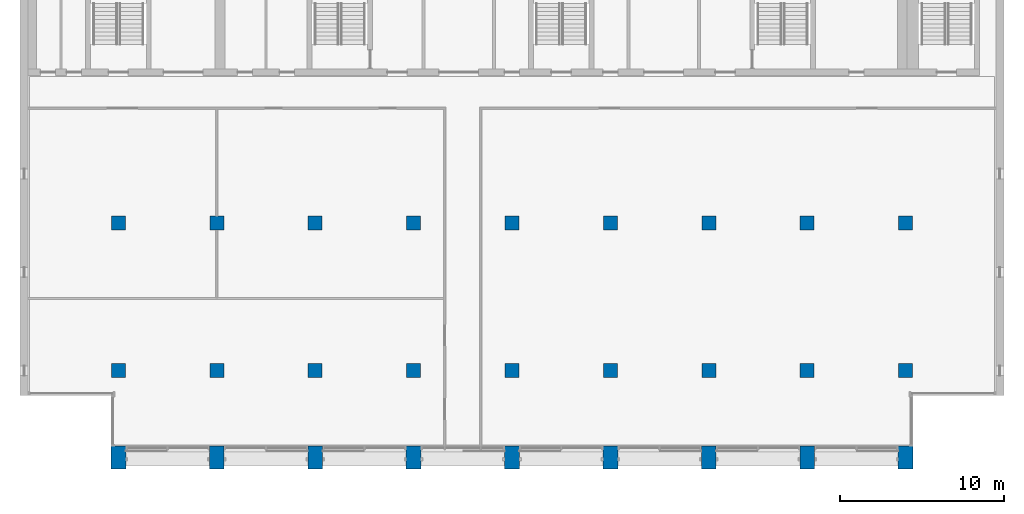
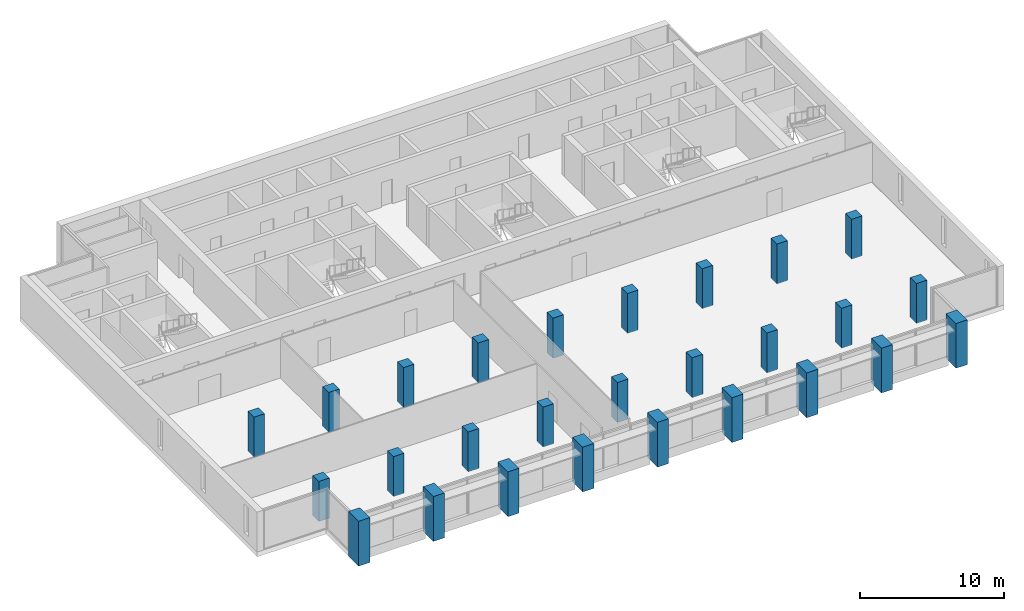
# One storey, part 1 of 14: 27 columns.
"""IFC4 building model written with IfcOpenShell, lengths in metres."""

import ifcopenshell
import ifcopenshell.guid

model = None  # the IFC model being written
_history = None  # IfcOwnerHistory: only IFC2X3 demands one
_inside = {}  # id of a spatial element -> (the spatial element, [elements in it])
_under = {}  # id of a project, library or spatial element -> (it, [spatial elements below it])
_declared = {}  # id of a project -> (the project, [libraries it declares])
_typed = {}  # id of a type object -> (the type object, [elements of that type])
_made_of = {}  # id of a material, layer set ... -> (it, [elements and type objects made of it])


def new_model(schema):
    """Start an empty IFC model of exactly this schema.

    Asked for "IFC4X3", IfcOpenShell would pick the latest addendum, in which some entities
    have other attributes; the version numbers below select the first issue.
    IFC2X3 requires an IfcOwnerHistory on every rooted entity: one is made here for all.
    """
    global model, _history
    if schema == "IFC4X3":
        model = ifcopenshell.file(schema_version=(4, 3, 0, 0))
    else:
        model = ifcopenshell.file(schema=schema)
    _inside.clear()
    _under.clear()
    _declared.clear()
    _typed.clear()
    _made_of.clear()
    _history = None
    if model.schema == "IFC2X3":
        org = make("IfcOrganization", Name="unknown")
        user = make(
            "IfcPersonAndOrganization",
            ThePerson=make("IfcPerson", FamilyName="unknown"),
            TheOrganization=org,
        )
        app = make(
            "IfcApplication",
            ApplicationDeveloper=org,
            Version="unknown",
            ApplicationFullName="unknown",
            ApplicationIdentifier="unknown",
        )
        _history = make(
            "IfcOwnerHistory",
            OwningUser=user,
            OwningApplication=app,
            ChangeAction="ADDED",
            CreationDate=0,
        )
    return model


def make(cls, **values):
    """One entity of the class cls with the attributes given. An attribute that is None is left unset."""
    return model.create_entity(
        cls, **{name: value for name, value in values.items() if value is not None}
    )


def rooted(cls, **values):
    """An entity with a GlobalId (a new one), such as an element, a storey or a relation."""
    return make(cls, GlobalId=ifcopenshell.guid.new(), OwnerHistory=_history, **values)


def si_unit(unit_type, name, prefix=None):
    """IfcSIUnit, for example si_unit("LENGTHUNIT", "METRE", prefix="MILLI")."""
    return make("IfcSIUnit", UnitType=unit_type, Prefix=prefix, Name=name)


def assignment(units):
    """IfcUnitAssignment: the units of a project."""
    return None if units is None else make("IfcUnitAssignment", Units=units)


def point(xyz):
    """IfcCartesianPoint."""
    return None if xyz is None else make("IfcCartesianPoint", Coordinates=xyz)


def direction(xyz):
    """IfcDirection."""
    return None if xyz is None else make("IfcDirection", DirectionRatios=xyz)


def frame(location, z_axis=None, x_axis=None):
    """IfcAxis2Placement3D, a coordinate frame: its origin and axes. An axis left out is left unset."""
    return make(
        "IfcAxis2Placement3D",
        Location=point(location),
        Axis=direction(z_axis),
        RefDirection=direction(x_axis),
    )


def frame_2d(location, x_axis=None):
    """IfcAxis2Placement2D, a coordinate frame in the plane: its origin and x axis."""
    return make(
        "IfcAxis2Placement2D", Location=point(location), RefDirection=direction(x_axis)
    )


def origin():
    """The frame at (0, 0, 0) with its axes left unset."""
    return frame((0.0, 0.0, 0.0))


def origin_2d():
    """The frame at (0, 0) in the plane with its x axis left unset."""
    return frame_2d((0.0, 0.0))


def place(relative_to, where):
    """IfcLocalPlacement: puts the frame where relative to a parent placement (None: the world)."""
    return make(
        "IfcLocalPlacement", PlacementRelTo=relative_to, RelativePlacement=where
    )


def context(
    kind, dimensions, precision=None, world=None, true_north=None, identifier=None
):
    """IfcGeometricRepresentationContext, for example the 3D "Model" context."""
    return make(
        "IfcGeometricRepresentationContext",
        ContextIdentifier=identifier,
        ContextType=kind,
        CoordinateSpaceDimension=dimensions,
        Precision=precision,
        WorldCoordinateSystem=world,
        TrueNorth=true_north,
    )


def subcontext(parent, identifier, kind, view, scale=None):
    """IfcGeometricRepresentationSubContext, for example "Body" below "Model"."""
    return make(
        "IfcGeometricRepresentationSubContext",
        ContextIdentifier=identifier,
        ContextType=kind,
        ParentContext=parent,
        TargetScale=scale,
        TargetView=view,
    )


def project(units=None, contexts=None):
    """IfcProject with its units and contexts."""
    return rooted(
        "IfcProject",
        Name="project",
        RepresentationContexts=contexts,
        UnitsInContext=assignment(units),
    )


def spatial(cls, under=None, at=None, **own):
    """A site, building, storey or space (cls), placed at a placement, below another one or the project."""
    s = rooted(cls, ObjectPlacement=at, **own)
    if under is not None:
        _under.setdefault(under.id(), (under, []))[1].append(s)
    return s


def profile(cls, at=None, kind="AREA", **sizes):
    """A parametric profile (cls). Its sizes go by their IFC names, for example OverallWidth=200.0."""
    return make(cls, ProfileType=kind, Position=at, **sizes)


def rectangle(**sizes):
    """IfcRectangleProfileDef."""
    return profile("IfcRectangleProfileDef", **sizes)


def extrude(swept, where, along, depth):
    """IfcExtrudedAreaSolid: the profile swept, set in the frame where, extruded along a direction by depth."""
    return make(
        "IfcExtrudedAreaSolid",
        SweptArea=swept,
        Position=where,
        ExtrudedDirection=direction(along),
        Depth=depth,
    )


def shape(context_of_items, identifier, shape_type, items):
    """IfcShapeRepresentation: the items that make up one representation, for example the "Body"."""
    return make(
        "IfcShapeRepresentation",
        ContextOfItems=context_of_items,
        RepresentationIdentifier=identifier,
        RepresentationType=shape_type,
        Items=items,
    )


def material(Name=None, Category=None):
    """IfcMaterial."""
    return make("IfcMaterial", Name=Name, Category=Category)


def material_profile(
    of_material, cross_section, Name=None, Category=None, Priority=None
):
    """IfcMaterialProfile: a cross section and its material."""
    return make(
        "IfcMaterialProfile",
        Name=Name,
        Material=of_material,
        Profile=cross_section,
        Priority=Priority,
        Category=Category,
    )


def profile_set(profiles, Name=None, composite=None):
    """IfcMaterialProfileSet."""
    return make(
        "IfcMaterialProfileSet",
        Name=Name,
        MaterialProfiles=profiles,
        CompositeProfile=composite,
    )


def made_of(thing, what):
    """Note that an element or type object is made of a material, layer set ...; save() writes the relation."""
    if what is not None:
        _made_of.setdefault(what.id(), (what, []))[1].append(thing)
    return thing


def type_object(cls, material=None, **own):
    """A type object (cls), such as IfcWallType, which elements share."""
    return made_of(rooted(cls, **own), material)


def element(
    cls,
    number,
    at=None,
    inside=None,
    cuts=None,
    type_object=None,
    material=None,
    context=None,
    identifier="Body",
    shape_type=None,
    held_by="IfcProductDefinitionShape",
    body=None,
    shapes=None,
    **own,
):
    """One element of the class cls, such as IfcWall. Its Tag is "e" and its number.

    at: its placement. inside: the storey or other place that contains it. cuts: it is an
    opening in that element (IfcRelVoidsElement). A single representation is given by context,
    identifier, shape_type and body (its items); several are given by shapes. held_by: the class
    of the entity that holds the representations. save() writes the other relations.
    """
    e = rooted(cls, Tag="e%d" % number, ObjectPlacement=at, **own)
    if body is not None:
        shapes = [shape(context, identifier, shape_type, body)]
    if shapes is not None:
        e.Representation = make(held_by, Representations=shapes)
    if inside is not None:
        _inside.setdefault(inside.id(), (inside, []))[1].append(e)
    if cuts is not None:
        rooted(
            "IfcRelVoidsElement", RelatingBuildingElement=cuts, RelatedOpeningElement=e
        )
    if type_object is not None:
        _typed.setdefault(type_object.id(), (type_object, []))[1].append(e)
    return made_of(e, material)


def aggregate(whole, parts):
    """IfcRelAggregates: a whole, such as a stair, and the parts it consists of."""
    return rooted("IfcRelAggregates", RelatingObject=whole, RelatedObjects=parts)


def save(model, path):
    """Write the relations noted so far, then the file.

    IfcRelAggregates (storeys below a building ...), IfcRelContainedInSpatialStructure (elements
    in a storey), IfcRelDefinesByType, IfcRelAssociatesMaterial and IfcRelDeclares: one each for
    every whole, place, type object, material and project.
    """
    for whole, parts in _under.values():
        aggregate(whole, parts)
    for where, things in _inside.values():
        rooted(
            "IfcRelContainedInSpatialStructure",
            RelatedElements=things,
            RelatingStructure=where,
        )
    for kind, things in _typed.values():
        rooted("IfcRelDefinesByType", RelatedObjects=things, RelatingType=kind)
    for what, things in _made_of.values():
        rooted("IfcRelAssociatesMaterial", RelatedObjects=things, RelatingMaterial=what)
    for by, libraries in _declared.values():
        rooted("IfcRelDeclares", RelatingContext=by, RelatedDefinitions=libraries)
    model.write(path)


model = new_model("IFC4")

# Units and contexts
model_context = context("Model", 3, precision=1e-05, world=origin(), true_north=direction((0.0, 1.0)))
body_context = subcontext(model_context, "Body", "Model", "MODEL_VIEW")
ifc_project = project(units=[si_unit("LENGTHUNIT", "METRE"), si_unit("AREAUNIT", "SQUARE_METRE"), si_unit("VOLUMEUNIT", "CUBIC_METRE"), si_unit("PLANEANGLEUNIT", "RADIAN"), si_unit("MASSUNIT", "GRAM", prefix="KILO")], contexts=[model_context])

# Site, building, storey
site_placement = place(None, origin())
site = spatial("IfcSite", under=ifc_project, at=site_placement, CompositionType="ELEMENT")
building_placement = place(site_placement, origin())
building = spatial("IfcBuilding", under=site, at=building_placement, Name="Calvaro Tower", CompositionType="ELEMENT")
storey_placement = place(building_placement, frame((0.0, 0.0, 250.75)))
storey = spatial("IfcBuildingStorey", under=building, at=storey_placement, Name="L63", CompositionType="ELEMENT", Elevation=250.75)

# Columns
ifc_material_1 = material(Name="Concrete C40/50", Category="concrete")
ifc_material_profile_1 = material_profile(ifc_material_1, rectangle(XDim=0.85009765625, YDim=0.85009765625, at=origin_2d()), Name="RC 850x850")
ifc_profile_set_1 = profile_set([ifc_material_profile_1], Name="Concrete C40/50")
column_type_1 = type_object("IfcColumnType", Name="Column 850x850 C40/50", PredefinedType="COLUMN", material=ifc_profile_set_1)
for number, where, z_axis, x_axis, name in (
    (1, (12.0, 10.0, 0.0), (0.0, 0.0, 1.0), (1.0, 0.0, 0.0), "Column 3B"),
    (2, (12.0, 19.0, 0.0), (0.0, 0.0, 1.0), (1.0, 0.0, 0.0), "Column 3C"),
    (3, (18.0, 10.0, 0.0), (0.0, 0.0, 1.0), (1.0, 0.0, 0.0), "Column 4B"),
    (4, (18.0, 19.0, 0.0), (0.0, 0.0, 1.0), (1.0, 0.0, 0.0), "Column 4C"),
    (5, (24.0, 10.0, 0.0), (0.0, 0.0, 1.0), (1.0, 0.0, 0.0), "Column 5B"),
    (6, (24.0, 19.0, 0.0), (0.0, 0.0, 1.0), (1.0, 0.0, 0.0), "Column 5C"),
    (7, (30.0, 10.0, 0.0), (0.0, 0.0, 1.0), (1.0, 0.0, 0.0), "Column 6B"),
    (8, (30.0, 19.0, 0.0), (0.0, 0.0, 1.0), (1.0, 0.0, 0.0), "Column 6C"),
    (9, (36.0, 10.0, 0.0), (0.0, 0.0, 1.0), (1.0, 0.0, 0.0), "Column 7B"),
    (10, (36.0, 19.0, 0.0), (0.0, 0.0, 1.0), (1.0, 0.0, 0.0), "Column 7C"),
    (11, (42.0, 10.0, 0.0), (0.0, 0.0, 1.0), (1.0, 0.0, 0.0), "Column 8B"),
    (12, (42.0, 19.0, 0.0), (0.0, 0.0, 1.0), (1.0, 0.0, 0.0), "Column 8C"),
    (13, (48.0, 10.0, 0.0), (0.0, 0.0, 1.0), (1.0, 0.0, 0.0), "Column 9B"),
    (14, (48.0, 19.0, 0.0), (0.0, 0.0, 1.0), (1.0, 0.0, 0.0), "Column 9C"),
    (15, (54.0, 10.0, 0.0), (0.0, 0.0, 1.0), (1.0, 0.0, 0.0), "Column 10B"),
    (16, (54.0, 19.0, 0.0), (0.0, 0.0, 1.0), (1.0, 0.0, 0.0), "Column 10C"),
    (17, (60.0, 10.0, 0.0), (0.0, 0.0, 1.0), (1.0, 0.0, 0.0), "Column 11B"),
    (18, (60.0, 19.0, 0.0), (0.0, 0.0, 1.0), (1.0, 0.0, 0.0), "Column 11C"),
):
    element("IfcColumn", number, at=place(storey_placement, frame(where, z_axis=z_axis, x_axis=x_axis)), inside=storey, type_object=column_type_1, Name=name, PredefinedType="COLUMN", context=body_context, shape_type="SweptSolid", body=[
        extrude(rectangle(XDim=0.85009765625, YDim=0.85009765625, at=origin_2d()), origin(), (0.0, 0.0, 1.0), 3.39990234375),
    ])
ifc_material_2 = material(Name="Concrete C40/50", Category="concrete")
ifc_material_profile_2 = material_profile(ifc_material_2, rectangle(XDim=0.89990234375, YDim=1.39990234375, at=origin_2d()), Name="RC 900x1400")
ifc_profile_set_2 = profile_set([ifc_material_profile_2], Name="Concrete C40/50")
column_type_2 = type_object("IfcColumnType", Name="Pier 900x1400 C40/50", PredefinedType="COLUMN", material=ifc_profile_set_2)
for number, where, z_axis, x_axis, name in (
    (19, (12.0, 4.699951171875, -0.39990234375), (0.0, 0.0, 1.0), (1.0, 0.0, 0.0), "South pier 3"),
    (20, (18.0, 4.699951171875, -0.39990234375), (0.0, 0.0, 1.0), (1.0, 0.0, 0.0), "South pier 4"),
    (21, (24.0, 4.699951171875, -0.39990234375), (0.0, 0.0, 1.0), (1.0, 0.0, 0.0), "South pier 5"),
    (22, (30.0, 4.699951171875, -0.39990234375), (0.0, 0.0, 1.0), (1.0, 0.0, 0.0), "South pier 6"),
    (23, (36.0, 4.699951171875, -0.39990234375), (0.0, 0.0, 1.0), (1.0, 0.0, 0.0), "South pier 7"),
    (24, (42.0, 4.699951171875, -0.39990234375), (0.0, 0.0, 1.0), (1.0, 0.0, 0.0), "South pier 8"),
    (25, (48.0, 4.699951171875, -0.39990234375), (0.0, 0.0, 1.0), (1.0, 0.0, 0.0), "South pier 9"),
    (26, (54.0, 4.699951171875, -0.39990234375), (0.0, 0.0, 1.0), (1.0, 0.0, 0.0), "South pier 10"),
    (27, (60.0, 4.699951171875, -0.39990234375), (0.0, 0.0, 1.0), (1.0, 0.0, 0.0), "South pier 11"),
):
    element("IfcColumn", number, at=place(storey_placement, frame(where, z_axis=z_axis, x_axis=x_axis)), inside=storey, type_object=column_type_2, Name=name, PredefinedType="COLUMN", context=body_context, shape_type="SweptSolid", body=[
        extrude(rectangle(XDim=0.89990234375, YDim=1.39990234375, at=origin_2d()), origin(), (0.0, 0.0, 1.0), 3.7998046875),
    ])

save(model, "model.ifc")
